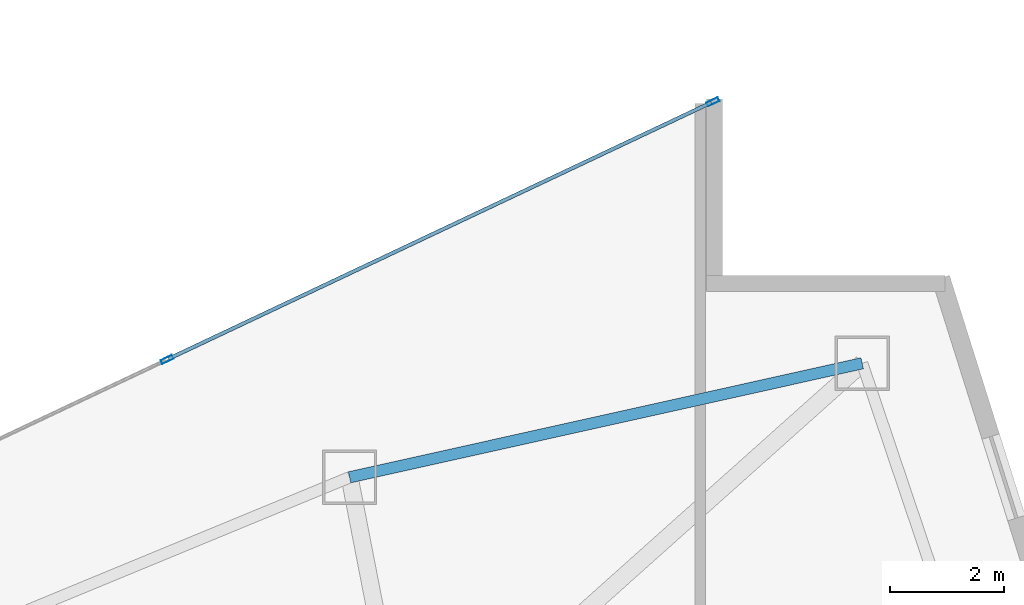
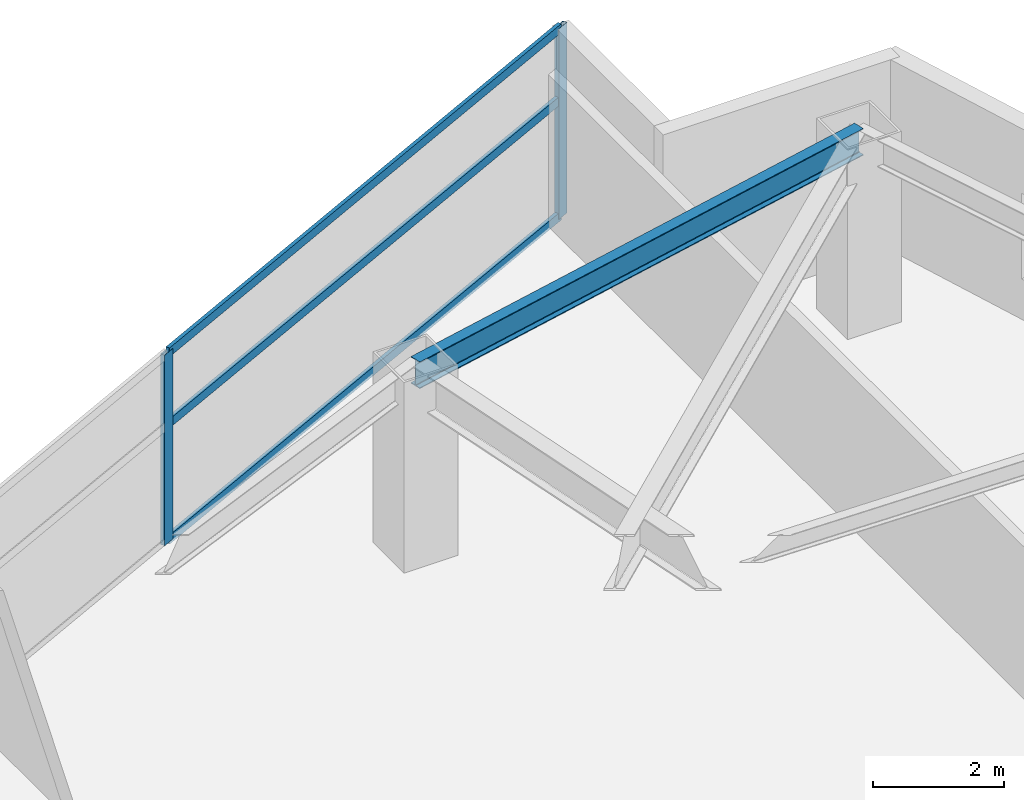
# One storey, part 20 of 30: 5 members, 1 beam, 1 element without a shape of its own.
"""IFC4 building model written with IfcOpenShell, lengths in metres."""

import ifcopenshell
import ifcopenshell.guid

model = None  # the IFC model being written
_history = None  # IfcOwnerHistory: only IFC2X3 demands one
_inside = {}  # id of a spatial element -> (the spatial element, [elements in it])
_under = {}  # id of a project, library or spatial element -> (it, [spatial elements below it])
_declared = {}  # id of a project -> (the project, [libraries it declares])
_typed = {}  # id of a type object -> (the type object, [elements of that type])
_made_of = {}  # id of a material, layer set ... -> (it, [elements and type objects made of it])


def new_model(schema):
    """Start an empty IFC model of exactly this schema.

    Asked for "IFC4X3", IfcOpenShell would pick the latest addendum, in which some entities
    have other attributes; the version numbers below select the first issue.
    IFC2X3 requires an IfcOwnerHistory on every rooted entity: one is made here for all.
    """
    global model, _history
    if schema == "IFC4X3":
        model = ifcopenshell.file(schema_version=(4, 3, 0, 0))
    else:
        model = ifcopenshell.file(schema=schema)
    _inside.clear()
    _under.clear()
    _declared.clear()
    _typed.clear()
    _made_of.clear()
    _history = None
    if model.schema == "IFC2X3":
        org = make("IfcOrganization", Name="unknown")
        user = make(
            "IfcPersonAndOrganization",
            ThePerson=make("IfcPerson", FamilyName="unknown"),
            TheOrganization=org,
        )
        app = make(
            "IfcApplication",
            ApplicationDeveloper=org,
            Version="unknown",
            ApplicationFullName="unknown",
            ApplicationIdentifier="unknown",
        )
        _history = make(
            "IfcOwnerHistory",
            OwningUser=user,
            OwningApplication=app,
            ChangeAction="ADDED",
            CreationDate=0,
        )
    return model


def make(cls, **values):
    """One entity of the class cls with the attributes given. An attribute that is None is left unset."""
    return model.create_entity(
        cls, **{name: value for name, value in values.items() if value is not None}
    )


def rooted(cls, **values):
    """An entity with a GlobalId (a new one), such as an element, a storey or a relation."""
    return make(cls, GlobalId=ifcopenshell.guid.new(), OwnerHistory=_history, **values)


def si_unit(unit_type, name, prefix=None):
    """IfcSIUnit, for example si_unit("LENGTHUNIT", "METRE", prefix="MILLI")."""
    return make("IfcSIUnit", UnitType=unit_type, Prefix=prefix, Name=name)


def assignment(units):
    """IfcUnitAssignment: the units of a project."""
    return None if units is None else make("IfcUnitAssignment", Units=units)


def point(xyz):
    """IfcCartesianPoint."""
    return None if xyz is None else make("IfcCartesianPoint", Coordinates=xyz)


def direction(xyz):
    """IfcDirection."""
    return None if xyz is None else make("IfcDirection", DirectionRatios=xyz)


def frame(location, z_axis=None, x_axis=None):
    """IfcAxis2Placement3D, a coordinate frame: its origin and axes. An axis left out is left unset."""
    return make(
        "IfcAxis2Placement3D",
        Location=point(location),
        Axis=direction(z_axis),
        RefDirection=direction(x_axis),
    )


def frame_2d(location, x_axis=None):
    """IfcAxis2Placement2D, a coordinate frame in the plane: its origin and x axis."""
    return make(
        "IfcAxis2Placement2D", Location=point(location), RefDirection=direction(x_axis)
    )


def origin():
    """The frame at (0, 0, 0) with its axes left unset."""
    return frame((0.0, 0.0, 0.0))


def origin_2d():
    """The frame at (0, 0) in the plane with its x axis left unset."""
    return frame_2d((0.0, 0.0))


def place(relative_to, where):
    """IfcLocalPlacement: puts the frame where relative to a parent placement (None: the world)."""
    return make(
        "IfcLocalPlacement", PlacementRelTo=relative_to, RelativePlacement=where
    )


def context(
    kind, dimensions, precision=None, world=None, true_north=None, identifier=None
):
    """IfcGeometricRepresentationContext, for example the 3D "Model" context."""
    return make(
        "IfcGeometricRepresentationContext",
        ContextIdentifier=identifier,
        ContextType=kind,
        CoordinateSpaceDimension=dimensions,
        Precision=precision,
        WorldCoordinateSystem=world,
        TrueNorth=true_north,
    )


def subcontext(parent, identifier, kind, view, scale=None):
    """IfcGeometricRepresentationSubContext, for example "Body" below "Model"."""
    return make(
        "IfcGeometricRepresentationSubContext",
        ContextIdentifier=identifier,
        ContextType=kind,
        ParentContext=parent,
        TargetScale=scale,
        TargetView=view,
    )


def project(units=None, contexts=None):
    """IfcProject with its units and contexts."""
    return rooted(
        "IfcProject",
        Name="project",
        RepresentationContexts=contexts,
        UnitsInContext=assignment(units),
    )


def spatial(cls, under=None, at=None, **own):
    """A site, building, storey or space (cls), placed at a placement, below another one or the project."""
    s = rooted(cls, ObjectPlacement=at, **own)
    if under is not None:
        _under.setdefault(under.id(), (under, []))[1].append(s)
    return s


def profile(cls, at=None, kind="AREA", **sizes):
    """A parametric profile (cls). Its sizes go by their IFC names, for example OverallWidth=200.0."""
    return make(cls, ProfileType=kind, Position=at, **sizes)


def hollow_rectangle(**sizes):
    """IfcRectangleHollowProfileDef."""
    return profile("IfcRectangleHollowProfileDef", **sizes)


def i_section(**sizes):
    """IfcIShapeProfileDef."""
    return profile("IfcIShapeProfileDef", **sizes)


def extrude(swept, where, along, depth):
    """IfcExtrudedAreaSolid: the profile swept, set in the frame where, extruded along a direction by depth."""
    return make(
        "IfcExtrudedAreaSolid",
        SweptArea=swept,
        Position=where,
        ExtrudedDirection=direction(along),
        Depth=depth,
    )


def shape(context_of_items, identifier, shape_type, items):
    """IfcShapeRepresentation: the items that make up one representation, for example the "Body"."""
    return make(
        "IfcShapeRepresentation",
        ContextOfItems=context_of_items,
        RepresentationIdentifier=identifier,
        RepresentationType=shape_type,
        Items=items,
    )


def material(Name=None, Category=None):
    """IfcMaterial."""
    return make("IfcMaterial", Name=Name, Category=Category)


def layer(
    of_material, thickness, ventilated=None, Name=None, Category=None, Priority=None
):
    """IfcMaterialLayer: one layer of a wall or slab, of a material (None: an air gap)."""
    return make(
        "IfcMaterialLayer",
        Material=of_material,
        LayerThickness=thickness,
        IsVentilated=ventilated,
        Name=Name,
        Category=Category,
        Priority=Priority,
    )


def layer_set(layers, Name=None):
    """IfcMaterialLayerSet."""
    return make("IfcMaterialLayerSet", MaterialLayers=layers, LayerSetName=Name)


def material_profile(
    of_material, cross_section, Name=None, Category=None, Priority=None
):
    """IfcMaterialProfile: a cross section and its material."""
    return make(
        "IfcMaterialProfile",
        Name=Name,
        Material=of_material,
        Profile=cross_section,
        Priority=Priority,
        Category=Category,
    )


def profile_set(profiles, Name=None, composite=None):
    """IfcMaterialProfileSet."""
    return make(
        "IfcMaterialProfileSet",
        Name=Name,
        MaterialProfiles=profiles,
        CompositeProfile=composite,
    )


def made_of(thing, what):
    """Note that an element or type object is made of a material, layer set ...; save() writes the relation."""
    if what is not None:
        _made_of.setdefault(what.id(), (what, []))[1].append(thing)
    return thing


def type_object(cls, material=None, **own):
    """A type object (cls), such as IfcWallType, which elements share."""
    return made_of(rooted(cls, **own), material)


def element(
    cls,
    number,
    at=None,
    inside=None,
    cuts=None,
    type_object=None,
    material=None,
    context=None,
    identifier="Body",
    shape_type=None,
    held_by="IfcProductDefinitionShape",
    body=None,
    shapes=None,
    **own,
):
    """One element of the class cls, such as IfcWall. Its Tag is "e" and its number.

    at: its placement. inside: the storey or other place that contains it. cuts: it is an
    opening in that element (IfcRelVoidsElement). A single representation is given by context,
    identifier, shape_type and body (its items); several are given by shapes. held_by: the class
    of the entity that holds the representations. save() writes the other relations.
    """
    e = rooted(cls, Tag="e%d" % number, ObjectPlacement=at, **own)
    if body is not None:
        shapes = [shape(context, identifier, shape_type, body)]
    if shapes is not None:
        e.Representation = make(held_by, Representations=shapes)
    if inside is not None:
        _inside.setdefault(inside.id(), (inside, []))[1].append(e)
    if cuts is not None:
        rooted(
            "IfcRelVoidsElement", RelatingBuildingElement=cuts, RelatedOpeningElement=e
        )
    if type_object is not None:
        _typed.setdefault(type_object.id(), (type_object, []))[1].append(e)
    return made_of(e, material)


def aggregate(whole, parts):
    """IfcRelAggregates: a whole, such as a stair, and the parts it consists of."""
    return rooted("IfcRelAggregates", RelatingObject=whole, RelatedObjects=parts)


def save(model, path):
    """Write the relations noted so far, then the file.

    IfcRelAggregates (storeys below a building ...), IfcRelContainedInSpatialStructure (elements
    in a storey), IfcRelDefinesByType, IfcRelAssociatesMaterial and IfcRelDeclares: one each for
    every whole, place, type object, material and project.
    """
    for whole, parts in _under.values():
        aggregate(whole, parts)
    for where, things in _inside.values():
        rooted(
            "IfcRelContainedInSpatialStructure",
            RelatedElements=things,
            RelatingStructure=where,
        )
    for kind, things in _typed.values():
        rooted("IfcRelDefinesByType", RelatedObjects=things, RelatingType=kind)
    for what, things in _made_of.values():
        rooted("IfcRelAssociatesMaterial", RelatedObjects=things, RelatingMaterial=what)
    for by, libraries in _declared.values():
        rooted("IfcRelDeclares", RelatingContext=by, RelatedDefinitions=libraries)
    model.write(path)


model = new_model("IFC4")

# Units and contexts
model_context = context("Model", 3, precision=1e-05, world=origin(), true_north=direction((0.0, 1.0)))
body_context = subcontext(model_context, "Body", "Model", "MODEL_VIEW")
ifc_project = project(units=[si_unit("LENGTHUNIT", "METRE"), si_unit("AREAUNIT", "SQUARE_METRE"), si_unit("VOLUMEUNIT", "CUBIC_METRE"), si_unit("PLANEANGLEUNIT", "RADIAN"), si_unit("MASSUNIT", "GRAM", prefix="KILO")], contexts=[model_context])

# Site, building, storey
site_placement = place(None, origin())
site = spatial("IfcSite", under=ifc_project, at=site_placement, CompositionType="ELEMENT")
building_placement = place(site_placement, origin())
building = spatial("IfcBuilding", under=site, at=building_placement, Name="Calvorn Quay Hotel", CompositionType="ELEMENT")
storey_placement = place(building_placement, frame((0.0, 0.0, 30.800048828125)))
storey = spatial("IfcBuildingStorey", under=building, at=storey_placement, Name="L06", CompositionType="ELEMENT", Elevation=30.800048828125)

# Beam
ifc_material_1 = material(Name="Steel Q355B", Category="steel")
ifc_material_profile_1 = material_profile(ifc_material_1, i_section(OverallWidth=0.199951171875, OverallDepth=0.5, WebThickness=0.010009765625, FlangeThickness=0.01611328125, FilletRadius=0.01611328125, at=origin_2d()), Name="HN500x200x10x16")
ifc_profile_set_1 = profile_set([ifc_material_profile_1], Name="Steel Q355B")
beam_type = type_object("IfcBeamType", Name="BM-SPANDREL-Z1", PredefinedType="SPANDREL", material=ifc_profile_set_1)
beam_placement = place(storey_placement, frame((52.990966796875, 33.39990234375, 3.2900390625), z_axis=(-0.976140886259, -0.217138136156, 0.0), x_axis=(0.217138136156, -0.976140886259, 0.0)))
element("IfcBeam", 1, at=beam_placement, inside=storey, type_object=beam_type, Name="Beam BSP-L06-E3", PredefinedType="SPANDREL", context=body_context, shape_type="SweptSolid", body=[
    extrude(i_section(OverallWidth=0.199951171875, OverallDepth=0.5, WebThickness=0.010009765625, FlangeThickness=0.01611328125, FilletRadius=0.01611328125, at=origin_2d()), origin(), (0.0, 0.0, 1.0), 9.210693359375),
])

# Curtain wall, members
ifc_material_2 = material(Name="Pale Anodised Aluminium and Low-E Glass", Category="aluminium")
ifc_layer = layer(ifc_material_2, 0.219970703125)
ifc_layer_set = layer_set([ifc_layer], Name="CW-SYS-Z1")
curtain_wall_type = type_object("IfcCurtainWallType", Name="CW-SYS-Z1", PredefinedType="NOTDEFINED", material=ifc_layer_set)
curtain_wall_placement = place(storey_placement, origin())
curtain_wall = element("IfcCurtainWall", 2, at=curtain_wall_placement, inside=storey, type_object=curtain_wall_type, Name="Inner Court Curtain Wall L06-NE1", PredefinedType="NOTDEFINED")
ifc_material_3 = material(Name="Pale Anodised Aluminium 6063-T6", Category="aluminium")
ifc_material_profile_2 = material_profile(ifc_material_3, hollow_rectangle(XDim=0.074951171875, YDim=0.219970703125, WallThickness=0.00439453125, at=origin_2d()), Name="ALU-M220x75x4.5")
ifc_profile_set_2 = profile_set([ifc_material_profile_2], Name="Pale Anodised Aluminium 6063-T6")
member_type_1 = type_object("IfcMemberType", Name="CW-SYS-Z1-MUL", PredefinedType="MULLION", material=ifc_profile_set_2)
member_1_placement = place(storey_placement, frame((50.372802734375, 37.9873046875, 0.0), z_axis=(0.0, 0.0, 1.0), x_axis=(0.427006305415, -0.904248646743, 0.0)))
member_1 = element("IfcMember", 3, at=member_1_placement, type_object=member_type_1, Name="CW-L06-NE1 mullion 1", PredefinedType="MULLION", context=body_context, shape_type="SweptSolid", body=[
    extrude(hollow_rectangle(XDim=0.074951171875, YDim=0.219970703125, WallThickness=0.00439453125, at=origin_2d()), origin(), (0.0, 0.0, 1.0), 3.56005859375),
])
member_2_placement = place(storey_placement, frame((40.800048828125, 33.466552734375, 0.0), z_axis=(0.0, 0.0, 1.0), x_axis=(0.427006305415, -0.904248646743, 0.0)))
member_2 = element("IfcMember", 4, at=member_2_placement, type_object=member_type_1, Name="CW-L06-NE1 mullion 2", PredefinedType="MULLION", context=body_context, shape_type="SweptSolid", body=[
    extrude(hollow_rectangle(XDim=0.074951171875, YDim=0.219970703125, WallThickness=0.00439453125, at=origin_2d()), origin(), (0.0, 0.0, 1.0), 3.56005859375),
])
ifc_material_4 = material(Name="Pale Anodised Aluminium 6063-T6", Category="aluminium")
ifc_material_profile_3 = material_profile(ifc_material_4, hollow_rectangle(XDim=0.06494140625, YDim=0.1650390625, WallThickness=0.00341796875, at=origin_2d()), Name="ALU-T165x65x3.5")
ifc_profile_set_3 = profile_set([ifc_material_profile_3], Name="Pale Anodised Aluminium 6063-T6")
member_type_2 = type_object("IfcMemberType", Name="CW-SYS-Z1-TRN", PredefinedType="USERDEFINED", material=ifc_profile_set_3)
member_3_placement = place(storey_placement, frame((50.345703125, 37.974365234375, 0.030029296875), z_axis=(-0.904248646746, -0.427006305408, 0.0), x_axis=(0.427006305408, -0.904248646746, 0.0)))
member_3 = element("IfcMember", 5, at=member_3_placement, type_object=member_type_2, Name="CW-L06-NE1 transom 1.1", ObjectType="TRANSOM", PredefinedType="USERDEFINED", context=body_context, shape_type="SweptSolid", body=[
    extrude(hollow_rectangle(XDim=0.06494140625, YDim=0.1650390625, WallThickness=0.00341796875, at=origin_2d()), origin(), (0.0, 0.0, 1.0), 10.5263671875),
])
member_4_placement = place(storey_placement, frame((50.345703125, 37.974365234375, 2.199951171875), z_axis=(-0.904248646746, -0.427006305408, 0.0), x_axis=(0.427006305408, -0.904248646746, 0.0)))
member_4 = element("IfcMember", 6, at=member_4_placement, type_object=member_type_2, Name="CW-L06-NE1 transom 1.2", ObjectType="TRANSOM", PredefinedType="USERDEFINED", context=body_context, shape_type="SweptSolid", body=[
    extrude(hollow_rectangle(XDim=0.06494140625, YDim=0.1650390625, WallThickness=0.00341796875, at=origin_2d()), origin(), (0.0, 0.0, 1.0), 10.5263671875),
])
member_5_placement = place(storey_placement, frame((50.345703125, 37.974365234375, 3.530029296875), z_axis=(-0.904248646746, -0.427006305408, 0.0), x_axis=(0.427006305408, -0.904248646746, 0.0)))
member_5 = element("IfcMember", 7, at=member_5_placement, type_object=member_type_2, Name="CW-L06-NE1 transom 1.3", ObjectType="TRANSOM", PredefinedType="USERDEFINED", context=body_context, shape_type="SweptSolid", body=[
    extrude(hollow_rectangle(XDim=0.06494140625, YDim=0.1650390625, WallThickness=0.00341796875, at=origin_2d()), origin(), (0.0, 0.0, 1.0), 10.5263671875),
])
aggregate(curtain_wall, [member_1, member_2, member_3, member_4, member_5])

save(model, "model.ifc")
